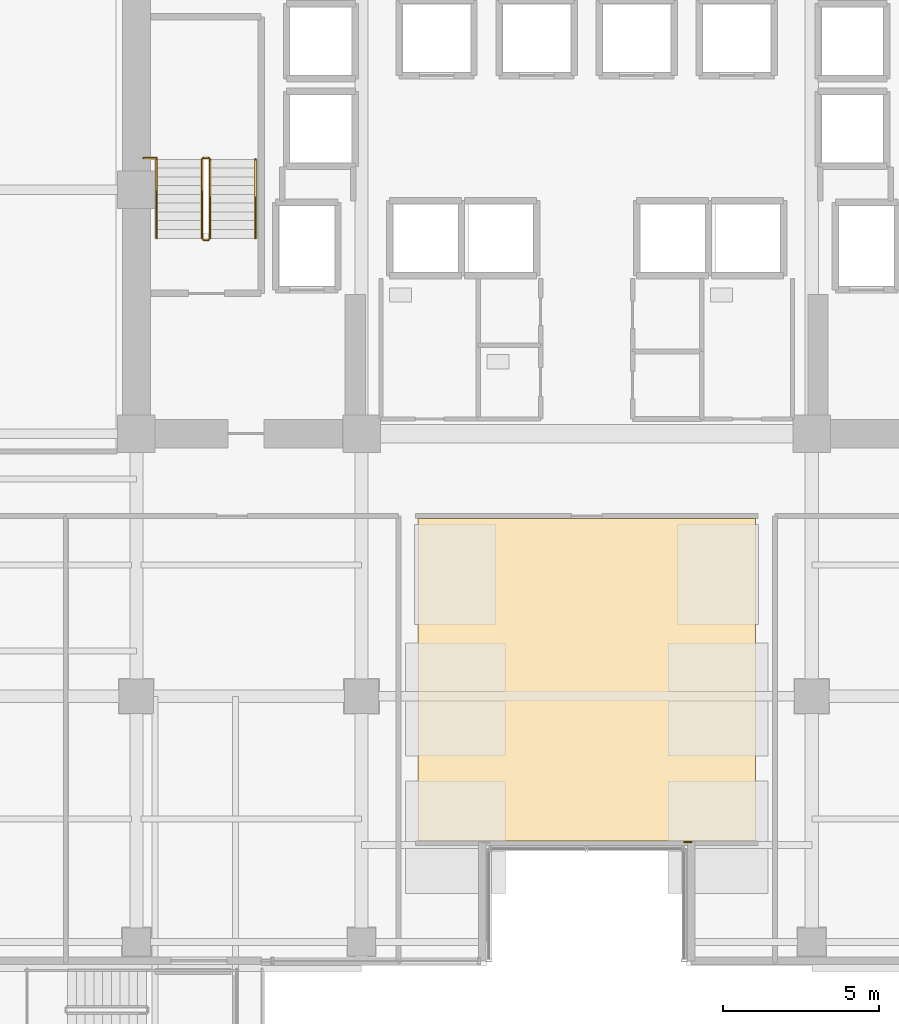
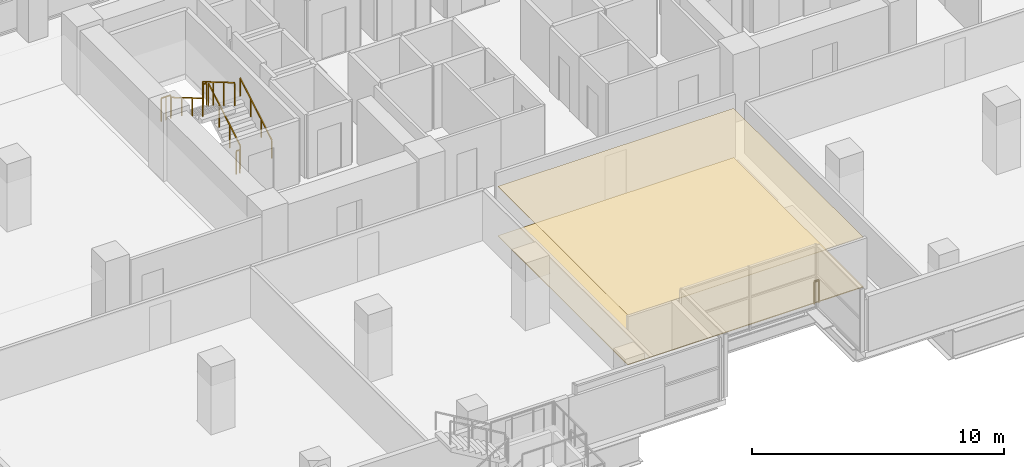
# One storey, part 30 of 32: 8 railings, 2 coverings.
"""IFC4 building model written with IfcOpenShell, lengths in metres."""

from ifc_helpers import new_model, si_unit, direction, frame, origin, origin_2d, place, context, subcontext, project, spatial, polyline, rectangle, outline, extrude, material, layer, layer_set, type_object, element, save


model = new_model("IFC4")

# Units and contexts
model_context = context("Model", 3, precision=1e-05, world=origin(), true_north=direction((0.0, 1.0)))
body_context = subcontext(model_context, "Body", "Model", "MODEL_VIEW")
ifc_project = project(units=[si_unit("LENGTHUNIT", "METRE"), si_unit("AREAUNIT", "SQUARE_METRE"), si_unit("VOLUMEUNIT", "CUBIC_METRE"), si_unit("PLANEANGLEUNIT", "RADIAN"), si_unit("MASSUNIT", "GRAM", prefix="KILO")], contexts=[model_context])

# Site, building, storey
site_placement = place(None, origin())
site = spatial("IfcSite", under=ifc_project, at=site_placement, CompositionType="ELEMENT")
building_placement = place(site_placement, origin())
building = spatial("IfcBuilding", under=site, at=building_placement, Name="Zarnakvel Exchange Tower", CompositionType="ELEMENT")
storey_placement = place(building_placement, frame((0.0, 0.0, 27.39990234375)))
storey = spatial("IfcBuildingStorey", under=building, at=storey_placement, Name="L06", CompositionType="ELEMENT", Elevation=27.39990234375)

# Coverings
ifc_material_1 = material(Name="Perforated Bronze Acoustic Metal Ceiling", Category="aluminium")
ifc_layer_1 = layer(ifc_material_1, 0.02001953125)
ifc_layer_set_1 = layer_set([ifc_layer_1], Name="Perforated Bronze Acoustic Metal Ceiling")
covering_type_1 = type_object("IfcCoveringType", Name="CLG-01", PredefinedType="CEILING", material=ifc_layer_set_1)
covering_1_placement = place(storey_placement, frame((0.0, 0.0, 2.405029296875)))
element("IfcCovering", 1, at=covering_1_placement, inside=storey, type_object=covering_type_1, Name="L06 Suspended Acoustic Ceiling (Members Lounge)", PredefinedType="CEILING", context=body_context, shape_type="SweptSolid", body=[
    extrude(outline(polyline([(-5.39990234375, -3.909912109375), (5.39990234375, -3.909912109375), (5.39990234375, -14.219970703125), (-5.39990234375, -14.219970703125), (-5.39990234375, -3.909912109375)])), origin(), (0.0, 0.0, 1.0), 0.02001953125),
])
ifc_material_2 = material(Name="Heavy-Duty Raised Access Floor Panel", Category="steel")
ifc_layer_2 = layer(ifc_material_2, 0.034912109375)
ifc_layer_set_2 = layer_set([ifc_layer_2], Name="Heavy-Duty Raised Access Floor Panel")
covering_type_2 = type_object("IfcCoveringType", Name="FLR-02", PredefinedType="FLOORING", material=ifc_layer_set_2)
covering_2_placement = place(storey_placement, origin())
element("IfcCovering", 2, at=covering_2_placement, inside=storey, type_object=covering_type_2, Name="L06 Floor Finish (Members Lounge)", PredefinedType="FLOORING", context=body_context, shape_type="SweptSolid", body=[
    extrude(outline(polyline([(-5.39990234375, -3.909912109375), (5.39990234375, -3.909912109375), (5.39990234375, -14.219970703125), (-5.39990234375, -14.219970703125), (-5.39990234375, -3.909912109375)])), origin(), (0.0, 0.0, 1.0), 0.03515625),
])

# Railings
ifc_material_3 = material(Name="Architectural Bronze Anodised Aluminium", Category="aluminium")
railing_type_1 = type_object("IfcRailingType", Name="GR-02", PredefinedType="GUARDRAIL", material=ifc_material_3)
railing_1_placement = place(storey_placement, frame((3.340087890625, -14.260009765625, 0.0)))
element("IfcRailing", 3, at=railing_1_placement, inside=storey, type_object=railing_type_1, Name="L06 Corner Spandrel Balustrade #18", PredefinedType="GUARDRAIL", context=body_context, shape_type="SweptSolid", body=[
    extrude(rectangle(XDim=0.048095703125, YDim=0.048095703125, at=origin_2d()), frame((0.0, 0.0, 1.09619140625), z_axis=(-1.0, 0.0, 0.0), x_axis=(0.0, -1.0, 0.0)), (0.0, 0.0, 1.0), 0.219970703125),
    extrude(rectangle(XDim=0.0419921875, YDim=0.0419921875, at=origin_2d()), origin(), (0.0, 0.0, 1.0), 1.072021484375),
    extrude(rectangle(XDim=0.0419921875, YDim=0.0419921875, at=origin_2d()), frame((-0.219970703125, 0.0, 0.0)), (0.0, 0.0, 1.0), 1.072021484375),
])
ifc_material_4 = material(Name="Brushed Stainless Steel", Category="steel")
railing_type_2 = type_object("IfcRailingType", Name="HR-01", PredefinedType="HANDRAIL", material=ifc_material_4)
railing_2_placement = place(storey_placement, frame((-10.590087890625, 5.050048828125, 0.1650390625)))
element("IfcRailing", 4, at=railing_2_placement, inside=storey, type_object=railing_type_2, Name="L06 ST-01 stair handrail 1", PredefinedType="HANDRAIL", context=body_context, shape_type="SweptSolid", body=[
    extrude(rectangle(XDim=0.048095703125, YDim=0.048095703125, at=origin_2d()), frame((0.0, 0.0, 0.8759765625), z_axis=(0.0, 0.86152411907, 0.507716645641), x_axis=(-1.0, 0.0, 0.0)), (0.0, 0.0, 1.0), 2.925048828125),
    extrude(rectangle(XDim=0.0419921875, YDim=0.0419921875, at=origin_2d()), origin(), (0.0, 0.0, 1.0), 0.851806640625),
    extrude(rectangle(XDim=0.0419921875, YDim=0.0419921875, at=origin_2d()), frame((0.0, 0.840087890625, 0.4951171875)), (0.0, 0.0, 1.0), 0.851806640625),
    extrude(rectangle(XDim=0.0419921875, YDim=0.0419921875, at=origin_2d()), frame((0.0, 1.679931640625, 0.989990234375)), (0.0, 0.0, 1.0), 0.851806640625),
    extrude(rectangle(XDim=0.0419921875, YDim=0.0419921875, at=origin_2d()), frame((0.0, 2.52001953125, 1.485107421875)), (0.0, 0.0, 1.0), 0.851806640625),
])
railing_3_placement = place(storey_placement, frame((-13.75, 7.570068359375, 1.815185546875)))
element("IfcRailing", 5, at=railing_3_placement, inside=storey, type_object=railing_type_2, Name="L06 ST-01 stair handrail 2", PredefinedType="HANDRAIL", context=body_context, shape_type="SweptSolid", body=[
    extrude(rectangle(XDim=0.048095703125, YDim=0.048095703125, at=origin_2d()), frame((0.0, 0.0, 0.8759765625), z_axis=(0.0, -0.861560626758, 0.507654692109), x_axis=(1.0, 0.0, 0.0)), (0.0, 0.0, 1.0), 2.925048828125),
    extrude(rectangle(XDim=0.0419921875, YDim=0.0419921875, at=origin_2d()), origin(), (0.0, 0.0, 1.0), 0.851806640625),
    extrude(rectangle(XDim=0.0419921875, YDim=0.0419921875, at=origin_2d()), frame((0.0, -0.840087890625, 0.494873046875)), (0.0, 0.0, 1.0), 0.851806640625),
    extrude(rectangle(XDim=0.0419921875, YDim=0.0419921875, at=origin_2d()), frame((0.0, -1.679931640625, 0.989990234375)), (0.0, 0.0, 1.0), 0.851806640625),
    extrude(rectangle(XDim=0.0419921875, YDim=0.0419921875, at=origin_2d()), frame((0.0, -2.52001953125, 1.48486328125)), (0.0, 0.0, 1.0), 0.851806640625),
])
railing_type_3 = type_object("IfcRailingType", Name="SG-01", PredefinedType="GUARDRAIL", material=ifc_material_3)
railing_4_placement = place(storey_placement, frame((-12.0400390625, 5.050048828125, 0.1650390625)))
element("IfcRailing", 6, at=railing_4_placement, inside=storey, type_object=railing_type_3, Name="L06 ST-01 stair guard 1", PredefinedType="GUARDRAIL", context=body_context, shape_type="SweptSolid", body=[
    extrude(rectangle(XDim=0.048095703125, YDim=0.048095703125, at=origin_2d()), frame((0.0, 0.0, 1.1259765625), z_axis=(0.0, 0.86152411907, 0.507716645641), x_axis=(-1.0, 0.0, 0.0)), (0.0, 0.0, 1.0), 2.925048828125),
    extrude(rectangle(XDim=0.0419921875, YDim=0.0419921875, at=origin_2d()), origin(), (0.0, 0.0, 1.0), 1.101806640625),
    extrude(rectangle(XDim=0.0419921875, YDim=0.0419921875, at=origin_2d()), frame((0.0, 0.840087890625, 0.4951171875)), (0.0, 0.0, 1.0), 1.101806640625),
    extrude(rectangle(XDim=0.0419921875, YDim=0.0419921875, at=origin_2d()), frame((0.0, 1.679931640625, 0.989990234375)), (0.0, 0.0, 1.0), 1.101806640625),
    extrude(rectangle(XDim=0.0419921875, YDim=0.0419921875, at=origin_2d()), frame((0.0, 2.52001953125, 1.485107421875)), (0.0, 0.0, 1.0), 1.101806640625),
])
railing_5_placement = place(storey_placement, frame((-12.090087890625, 7.6201171875, 1.650146484375)))
element("IfcRailing", 7, at=railing_5_placement, inside=storey, type_object=railing_type_3, Name="L06 ST-01 stair guard 2", PredefinedType="GUARDRAIL", context=body_context, shape_type="SweptSolid", body=[
    extrude(rectangle(XDim=0.048095703125, YDim=0.048095703125, at=origin_2d()), frame((0.0, 0.0, 1.1259765625), z_axis=(-1.0, 0.0, 0.0), x_axis=(0.0, -1.0, 0.0)), (0.0, 0.0, 1.0), 0.159912109375),
    extrude(rectangle(XDim=0.0419921875, YDim=0.0419921875, at=origin_2d()), origin(), (0.0, 0.0, 1.0), 1.101806640625),
    extrude(rectangle(XDim=0.0419921875, YDim=0.0419921875, at=origin_2d()), frame((-0.159912109375, 0.0, 0.0)), (0.0, 0.0, 1.0), 1.101806640625),
])
railing_6_placement = place(storey_placement, frame((-12.300048828125, 7.570068359375, 1.815185546875)))
element("IfcRailing", 8, at=railing_6_placement, inside=storey, type_object=railing_type_3, Name="L06 ST-01 stair guard 3", PredefinedType="GUARDRAIL", context=body_context, shape_type="SweptSolid", body=[
    extrude(rectangle(XDim=0.048095703125, YDim=0.048095703125, at=origin_2d()), frame((0.0, 0.0, 1.1259765625), z_axis=(0.0, -0.861560626758, 0.507654692109), x_axis=(1.0, 0.0, 0.0)), (0.0, 0.0, 1.0), 2.925048828125),
    extrude(rectangle(XDim=0.0419921875, YDim=0.0419921875, at=origin_2d()), origin(), (0.0, 0.0, 1.0), 1.101806640625),
    extrude(rectangle(XDim=0.0419921875, YDim=0.0419921875, at=origin_2d()), frame((0.0, -0.840087890625, 0.494873046875)), (0.0, 0.0, 1.0), 1.101806640625),
    extrude(rectangle(XDim=0.0419921875, YDim=0.0419921875, at=origin_2d()), frame((0.0, -1.679931640625, 0.989990234375)), (0.0, 0.0, 1.0), 1.101806640625),
    extrude(rectangle(XDim=0.0419921875, YDim=0.0419921875, at=origin_2d()), frame((0.0, -2.52001953125, 1.48486328125)), (0.0, 0.0, 1.0), 1.101806640625),
])
railing_7_placement = place(storey_placement, frame((-12.090087890625, 5.0, 0.0)))
element("IfcRailing", 9, at=railing_7_placement, inside=storey, type_object=railing_type_3, Name="L06 ST-01 stair guard 4", PredefinedType="GUARDRAIL", context=body_context, shape_type="SweptSolid", body=[
    extrude(rectangle(XDim=0.048095703125, YDim=0.048095703125, at=origin_2d()), frame((0.0, 0.0, 1.1259765625), z_axis=(-1.0, 0.0, 0.0), x_axis=(0.0, -1.0, 0.0)), (0.0, 0.0, 1.0), 0.159912109375),
    extrude(rectangle(XDim=0.0419921875, YDim=0.0419921875, at=origin_2d()), origin(), (0.0, 0.0, 1.0), 1.101806640625),
    extrude(rectangle(XDim=0.0419921875, YDim=0.0419921875, at=origin_2d()), frame((-0.159912109375, 0.0, 0.0)), (0.0, 0.0, 1.0), 1.101806640625),
])
railing_8_placement = place(storey_placement, frame((-14.179931640625, 7.610107421875, 1.650146484375)))
element("IfcRailing", 10, at=railing_8_placement, inside=storey, type_object=railing_type_3, Name="L06 ST-01 Landing Slot Guardrail", PredefinedType="GUARDRAIL", context=body_context, shape_type="SweptSolid", body=[
    extrude(rectangle(XDim=0.048095703125, YDim=0.048095703125, at=origin_2d()), frame((0.0, 0.0, 1.1259765625), z_axis=(1.0, 0.0, 0.0), x_axis=(0.0, 1.0, 0.0)), (0.0, 0.0, 1.0), 0.429931640625),
    extrude(rectangle(XDim=0.0419921875, YDim=0.0419921875, at=origin_2d()), origin(), (0.0, 0.0, 1.0), 1.101806640625),
    extrude(rectangle(XDim=0.0419921875, YDim=0.0419921875, at=origin_2d()), frame((0.21484375, 0.0, 0.0)), (0.0, 0.0, 1.0), 1.101806640625),
    extrude(rectangle(XDim=0.0419921875, YDim=0.0419921875, at=origin_2d()), frame((0.429931640625, 0.0, 0.0)), (0.0, 0.0, 1.0), 1.101806640625),
])

save(model, "model.ifc")
